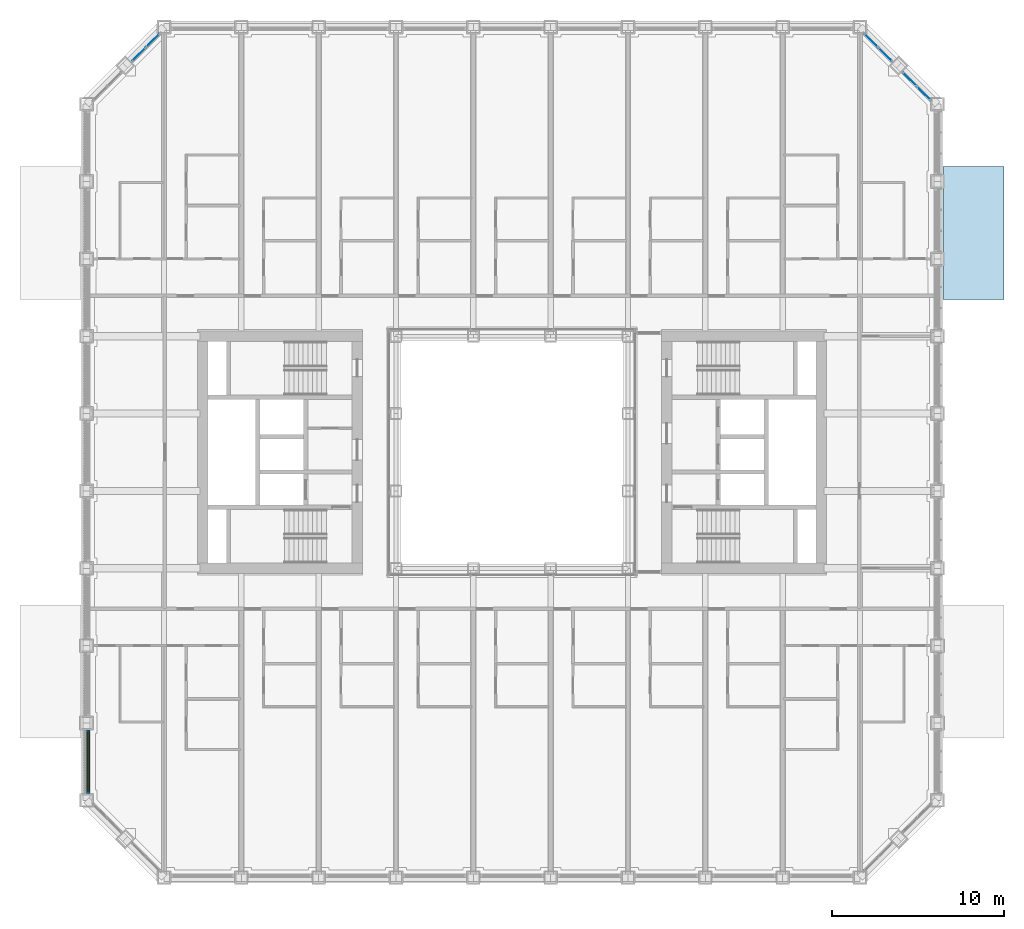
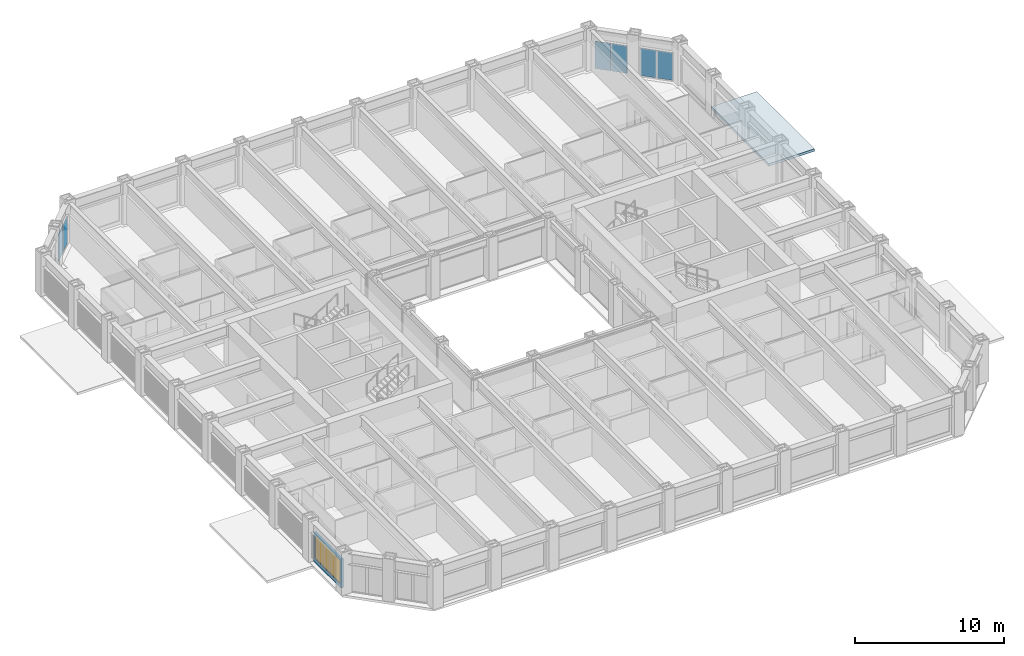
# One storey, part 11 of 24: 6 plates, 1 slab, 1 wall, 1 window, 1 opening, 3 elements without a shape of their own.
"""IFC4 building model written with IfcOpenShell, lengths in metres."""

import ifcopenshell
import ifcopenshell.guid

model = None  # the IFC model being written
_history = None  # IfcOwnerHistory: only IFC2X3 demands one
_inside = {}  # id of a spatial element -> (the spatial element, [elements in it])
_under = {}  # id of a project, library or spatial element -> (it, [spatial elements below it])
_declared = {}  # id of a project -> (the project, [libraries it declares])
_typed = {}  # id of a type object -> (the type object, [elements of that type])
_made_of = {}  # id of a material, layer set ... -> (it, [elements and type objects made of it])


def new_model(schema):
    """Start an empty IFC model of exactly this schema.

    Asked for "IFC4X3", IfcOpenShell would pick the latest addendum, in which some entities
    have other attributes; the version numbers below select the first issue.
    IFC2X3 requires an IfcOwnerHistory on every rooted entity: one is made here for all.
    """
    global model, _history
    if schema == "IFC4X3":
        model = ifcopenshell.file(schema_version=(4, 3, 0, 0))
    else:
        model = ifcopenshell.file(schema=schema)
    _inside.clear()
    _under.clear()
    _declared.clear()
    _typed.clear()
    _made_of.clear()
    _history = None
    if model.schema == "IFC2X3":
        org = make("IfcOrganization", Name="unknown")
        user = make(
            "IfcPersonAndOrganization",
            ThePerson=make("IfcPerson", FamilyName="unknown"),
            TheOrganization=org,
        )
        app = make(
            "IfcApplication",
            ApplicationDeveloper=org,
            Version="unknown",
            ApplicationFullName="unknown",
            ApplicationIdentifier="unknown",
        )
        _history = make(
            "IfcOwnerHistory",
            OwningUser=user,
            OwningApplication=app,
            ChangeAction="ADDED",
            CreationDate=0,
        )
    return model


def make(cls, **values):
    """One entity of the class cls with the attributes given. An attribute that is None is left unset."""
    return model.create_entity(
        cls, **{name: value for name, value in values.items() if value is not None}
    )


def rooted(cls, **values):
    """An entity with a GlobalId (a new one), such as an element, a storey or a relation."""
    return make(cls, GlobalId=ifcopenshell.guid.new(), OwnerHistory=_history, **values)


def si_unit(unit_type, name, prefix=None):
    """IfcSIUnit, for example si_unit("LENGTHUNIT", "METRE", prefix="MILLI")."""
    return make("IfcSIUnit", UnitType=unit_type, Prefix=prefix, Name=name)


def assignment(units):
    """IfcUnitAssignment: the units of a project."""
    return None if units is None else make("IfcUnitAssignment", Units=units)


def point(xyz):
    """IfcCartesianPoint."""
    return None if xyz is None else make("IfcCartesianPoint", Coordinates=xyz)


def direction(xyz):
    """IfcDirection."""
    return None if xyz is None else make("IfcDirection", DirectionRatios=xyz)


def frame(location, z_axis=None, x_axis=None):
    """IfcAxis2Placement3D, a coordinate frame: its origin and axes. An axis left out is left unset."""
    return make(
        "IfcAxis2Placement3D",
        Location=point(location),
        Axis=direction(z_axis),
        RefDirection=direction(x_axis),
    )


def frame_2d(location, x_axis=None):
    """IfcAxis2Placement2D, a coordinate frame in the plane: its origin and x axis."""
    return make(
        "IfcAxis2Placement2D", Location=point(location), RefDirection=direction(x_axis)
    )


def origin():
    """The frame at (0, 0, 0) with its axes left unset."""
    return frame((0.0, 0.0, 0.0))


def origin_2d():
    """The frame at (0, 0) in the plane with its x axis left unset."""
    return frame_2d((0.0, 0.0))


def place(relative_to, where):
    """IfcLocalPlacement: puts the frame where relative to a parent placement (None: the world)."""
    return make(
        "IfcLocalPlacement", PlacementRelTo=relative_to, RelativePlacement=where
    )


def context(
    kind, dimensions, precision=None, world=None, true_north=None, identifier=None
):
    """IfcGeometricRepresentationContext, for example the 3D "Model" context."""
    return make(
        "IfcGeometricRepresentationContext",
        ContextIdentifier=identifier,
        ContextType=kind,
        CoordinateSpaceDimension=dimensions,
        Precision=precision,
        WorldCoordinateSystem=world,
        TrueNorth=true_north,
    )


def subcontext(parent, identifier, kind, view, scale=None):
    """IfcGeometricRepresentationSubContext, for example "Body" below "Model"."""
    return make(
        "IfcGeometricRepresentationSubContext",
        ContextIdentifier=identifier,
        ContextType=kind,
        ParentContext=parent,
        TargetScale=scale,
        TargetView=view,
    )


def project(units=None, contexts=None):
    """IfcProject with its units and contexts."""
    return rooted(
        "IfcProject",
        Name="project",
        RepresentationContexts=contexts,
        UnitsInContext=assignment(units),
    )


def spatial(cls, under=None, at=None, **own):
    """A site, building, storey or space (cls), placed at a placement, below another one or the project."""
    s = rooted(cls, ObjectPlacement=at, **own)
    if under is not None:
        _under.setdefault(under.id(), (under, []))[1].append(s)
    return s


def polyline(points):
    """IfcPolyline through the points."""
    return make("IfcPolyline", Points=[point(p) for p in points])


def profile(cls, at=None, kind="AREA", **sizes):
    """A parametric profile (cls). Its sizes go by their IFC names, for example OverallWidth=200.0."""
    return make(cls, ProfileType=kind, Position=at, **sizes)


def rectangle(**sizes):
    """IfcRectangleProfileDef."""
    return profile("IfcRectangleProfileDef", **sizes)


def outline(outer, holes=None, kind="AREA"):
    """IfcArbitraryClosedProfileDef: a profile drawn as a closed curve; with holes, ...WithVoids."""
    if holes is None:
        return make("IfcArbitraryClosedProfileDef", ProfileType=kind, OuterCurve=outer)
    return make(
        "IfcArbitraryProfileDefWithVoids",
        ProfileType=kind,
        OuterCurve=outer,
        InnerCurves=holes,
    )


def extrude(swept, where, along, depth):
    """IfcExtrudedAreaSolid: the profile swept, set in the frame where, extruded along a direction by depth."""
    return make(
        "IfcExtrudedAreaSolid",
        SweptArea=swept,
        Position=where,
        ExtrudedDirection=direction(along),
        Depth=depth,
    )


def shape(context_of_items, identifier, shape_type, items):
    """IfcShapeRepresentation: the items that make up one representation, for example the "Body"."""
    return make(
        "IfcShapeRepresentation",
        ContextOfItems=context_of_items,
        RepresentationIdentifier=identifier,
        RepresentationType=shape_type,
        Items=items,
    )


def material(Name=None, Category=None):
    """IfcMaterial."""
    return make("IfcMaterial", Name=Name, Category=Category)


def layer(
    of_material, thickness, ventilated=None, Name=None, Category=None, Priority=None
):
    """IfcMaterialLayer: one layer of a wall or slab, of a material (None: an air gap)."""
    return make(
        "IfcMaterialLayer",
        Material=of_material,
        LayerThickness=thickness,
        IsVentilated=ventilated,
        Name=Name,
        Category=Category,
        Priority=Priority,
    )


def layer_set(layers, Name=None):
    """IfcMaterialLayerSet."""
    return make("IfcMaterialLayerSet", MaterialLayers=layers, LayerSetName=Name)


def made_of(thing, what):
    """Note that an element or type object is made of a material, layer set ...; save() writes the relation."""
    if what is not None:
        _made_of.setdefault(what.id(), (what, []))[1].append(thing)
    return thing


def type_object(cls, material=None, **own):
    """A type object (cls), such as IfcWallType, which elements share."""
    return made_of(rooted(cls, **own), material)


def element(
    cls,
    number,
    at=None,
    inside=None,
    cuts=None,
    type_object=None,
    material=None,
    context=None,
    identifier="Body",
    shape_type=None,
    held_by="IfcProductDefinitionShape",
    body=None,
    shapes=None,
    **own,
):
    """One element of the class cls, such as IfcWall. Its Tag is "e" and its number.

    at: its placement. inside: the storey or other place that contains it. cuts: it is an
    opening in that element (IfcRelVoidsElement). A single representation is given by context,
    identifier, shape_type and body (its items); several are given by shapes. held_by: the class
    of the entity that holds the representations. save() writes the other relations.
    """
    e = rooted(cls, Tag="e%d" % number, ObjectPlacement=at, **own)
    if body is not None:
        shapes = [shape(context, identifier, shape_type, body)]
    if shapes is not None:
        e.Representation = make(held_by, Representations=shapes)
    if inside is not None:
        _inside.setdefault(inside.id(), (inside, []))[1].append(e)
    if cuts is not None:
        rooted(
            "IfcRelVoidsElement", RelatingBuildingElement=cuts, RelatedOpeningElement=e
        )
    if type_object is not None:
        _typed.setdefault(type_object.id(), (type_object, []))[1].append(e)
    return made_of(e, material)


def fill(opening, filler):
    """IfcRelFillsElement: the door or window that sits in an opening."""
    return rooted(
        "IfcRelFillsElement",
        RelatingOpeningElement=opening,
        RelatedBuildingElement=filler,
    )


def aggregate(whole, parts):
    """IfcRelAggregates: a whole, such as a stair, and the parts it consists of."""
    return rooted("IfcRelAggregates", RelatingObject=whole, RelatedObjects=parts)


def save(model, path):
    """Write the relations noted so far, then the file.

    IfcRelAggregates (storeys below a building ...), IfcRelContainedInSpatialStructure (elements
    in a storey), IfcRelDefinesByType, IfcRelAssociatesMaterial and IfcRelDeclares: one each for
    every whole, place, type object, material and project.
    """
    for whole, parts in _under.values():
        aggregate(whole, parts)
    for where, things in _inside.values():
        rooted(
            "IfcRelContainedInSpatialStructure",
            RelatedElements=things,
            RelatingStructure=where,
        )
    for kind, things in _typed.values():
        rooted("IfcRelDefinesByType", RelatedObjects=things, RelatingType=kind)
    for what, things in _made_of.values():
        rooted("IfcRelAssociatesMaterial", RelatedObjects=things, RelatingMaterial=what)
    for by, libraries in _declared.values():
        rooted("IfcRelDeclares", RelatingContext=by, RelatedDefinitions=libraries)
    model.write(path)


model = new_model("IFC4")

# Units and contexts
model_context = context("Model", 3, precision=1e-05, world=origin(), true_north=direction((0.0, 1.0)))
body_context = subcontext(model_context, "Body", "Model", "MODEL_VIEW")
ifc_project = project(units=[si_unit("LENGTHUNIT", "METRE"), si_unit("AREAUNIT", "SQUARE_METRE"), si_unit("VOLUMEUNIT", "CUBIC_METRE"), si_unit("PLANEANGLEUNIT", "RADIAN"), si_unit("MASSUNIT", "GRAM", prefix="KILO")], contexts=[model_context])

# Site, building, storey
site_placement = place(None, origin())
site = spatial("IfcSite", under=ifc_project, at=site_placement, CompositionType="ELEMENT")
building_placement = place(site_placement, origin())
building = spatial("IfcBuilding", under=site, at=building_placement, Name="Msasa Ring Tower", CompositionType="ELEMENT")
storey_placement = place(building_placement, frame((0.0, 0.0, 26.5)))
storey = spatial("IfcBuildingStorey", under=building, at=storey_placement, Name="L05", CompositionType="ELEMENT", Elevation=26.5)

# Curtain wall, plates
ifc_material_1 = material(Name="Aluminium curtain wall with clear glass", Category="aluminium")
curtain_wall_type = type_object("IfcCurtainWallType", Name="CW-C CHAMFER CORNER CURTAIN WALL", PredefinedType="NOTDEFINED", material=ifc_material_1)
curtain_wall_1_placement = place(storey_placement, origin())
curtain_wall_1 = element("IfcCurtainWall", 1, at=curtain_wall_1_placement, inside=storey, type_object=curtain_wall_type, Name="Chamfer corner curtain wall NE L05", PredefinedType="NOTDEFINED")
ifc_material_2 = material(Name="Clear laminated insulating glass unit", Category="glass")
ifc_layer_1 = layer(ifc_material_2, 0.031982421875)
ifc_layer_set_1 = layer_set([ifc_layer_1], Name="CW-C GLASS PANEL 32")
plate_type = type_object("IfcPlateType", Name="CW-C GLASS PANEL 32", PredefinedType="CURTAIN_PANEL", material=ifc_layer_set_1)
plate_1_placement = place(storey_placement, frame((21.712158203125, 23.146484375, 0.06494140625), z_axis=(0.0, 0.0, 1.0), x_axis=(-0.707106781187, 0.707106781187, 0.0)))
plate_1 = element("IfcPlate", 2, at=plate_1_placement, type_object=plate_type, Name="CW-C panel 1.1", PredefinedType="CURTAIN_PANEL", context=body_context, shape_type="SweptSolid", body=[
    extrude(rectangle(XDim=1.08837890625, YDim=0.031982421875, at=origin_2d()), origin(), (0.0, 0.0, 1.0), 2.2490234375),
])
plate_2_placement = place(storey_placement, frame((20.896484375, 23.962158203125, 0.06494140625), z_axis=(0.0, 0.0, 1.0), x_axis=(-0.707106781187, 0.707106781187, 0.0)))
plate_2 = element("IfcPlate", 3, at=plate_2_placement, type_object=plate_type, Name="CW-C panel 2.1", PredefinedType="CURTAIN_PANEL", context=body_context, shape_type="SweptSolid", body=[
    extrude(rectangle(XDim=1.08837890625, YDim=0.031982421875, at=origin_2d()), origin(), (0.0, 0.0, 1.0), 2.2490234375),
])
aggregate(curtain_wall_1, [plate_1, plate_2])

curtain_wall_2_placement = place(storey_placement, origin())
curtain_wall_2 = element("IfcCurtainWall", 4, at=curtain_wall_2_placement, inside=storey, type_object=curtain_wall_type, Name="Chamfer corner curtain wall NE L05", PredefinedType="NOTDEFINED")
plate_3_placement = place(storey_placement, frame((23.962158203125, 20.896484375, 0.06494140625), z_axis=(0.0, 0.0, 1.0), x_axis=(-0.707106781187, 0.707106781187, 0.0)))
plate_3 = element("IfcPlate", 5, at=plate_3_placement, type_object=plate_type, Name="CW-C panel 1.1", PredefinedType="CURTAIN_PANEL", context=body_context, shape_type="SweptSolid", body=[
    extrude(rectangle(XDim=1.08837890625, YDim=0.031982421875, at=origin_2d()), origin(), (0.0, 0.0, 1.0), 2.2490234375),
])
plate_4_placement = place(storey_placement, frame((23.146484375, 21.712158203125, 0.06494140625), z_axis=(0.0, 0.0, 1.0), x_axis=(-0.707106781187, 0.707106781187, 0.0)))
plate_4 = element("IfcPlate", 6, at=plate_4_placement, type_object=plate_type, Name="CW-C panel 2.1", PredefinedType="CURTAIN_PANEL", context=body_context, shape_type="SweptSolid", body=[
    extrude(rectangle(XDim=1.08837890625, YDim=0.031982421875, at=origin_2d()), origin(), (0.0, 0.0, 1.0), 2.2490234375),
])
aggregate(curtain_wall_2, [plate_3, plate_4])

curtain_wall_3_placement = place(storey_placement, origin())
curtain_wall_3 = element("IfcCurtainWall", 7, at=curtain_wall_3_placement, inside=storey, type_object=curtain_wall_type, Name="Chamfer corner curtain wall NW L05", PredefinedType="NOTDEFINED")
plate_5_placement = place(storey_placement, frame((-20.896484375, 23.962158203125, 0.06494140625), z_axis=(0.0, 0.0, 1.0), x_axis=(-0.707106781187, -0.707106781187, 0.0)))
plate_5 = element("IfcPlate", 8, at=plate_5_placement, type_object=plate_type, Name="CW-C panel 1.1", PredefinedType="CURTAIN_PANEL", context=body_context, shape_type="SweptSolid", body=[
    extrude(rectangle(XDim=1.08837890625, YDim=0.031982421875, at=origin_2d()), origin(), (0.0, 0.0, 1.0), 2.2490234375),
])
plate_6_placement = place(storey_placement, frame((-21.712158203125, 23.146484375, 0.06494140625), z_axis=(0.0, 0.0, 1.0), x_axis=(-0.707106781187, -0.707106781187, 0.0)))
plate_6 = element("IfcPlate", 9, at=plate_6_placement, type_object=plate_type, Name="CW-C panel 2.1", PredefinedType="CURTAIN_PANEL", context=body_context, shape_type="SweptSolid", body=[
    extrude(rectangle(XDim=1.08837890625, YDim=0.031982421875, at=origin_2d()), origin(), (0.0, 0.0, 1.0), 2.2490234375),
])
aggregate(curtain_wall_3, [plate_5, plate_6])

# Slab
ifc_material_3 = material(Name="Concrete C40/50", Category="concrete")
ifc_layer_2 = layer(ifc_material_3, 0.199951171875)
ifc_layer_set_2 = layer_set([ifc_layer_2], Name="R2 STAIR HEAD-HOUSE ROOF 200")
slab_type = type_object("IfcSlabType", Name="R2 STAIR HEAD-HOUSE ROOF 200", PredefinedType="ROOF", material=ifc_layer_set_2)
slab_placement = place(storey_placement, frame((0.0, 0.0, -0.199951171875)))
element("IfcSlab", 10, at=slab_placement, inside=storey, type_object=slab_type, Name="Stair head-house roof PEN", PredefinedType="ROOF", context=body_context, shape_type="SweptSolid", body=[
    extrude(outline(polyline([(25.074951171875, 8.875), (28.625, 8.875), (28.625, 16.625), (25.074951171875, 16.625), (25.074951171875, 8.875)])), origin(), (0.0, 0.0, 1.0), 0.199951171875),
])

# Wall, opening, window
ifc_material_4 = material(Name="Terracotta rainscreen on blockwork", Category="masonry")
ifc_layer_3 = layer(ifc_material_4, 0.199951171875)
ifc_layer_set_3 = layer_set([ifc_layer_3], Name="FW1 TERRACOTTA-LINED INFILL BAY WALL 200")
wall_type = type_object("IfcWallType", Name="FW1 TERRACOTTA-LINED INFILL BAY WALL 200", PredefinedType="SOLIDWALL", material=ifc_layer_set_3)
wall_placement = place(storey_placement, frame((-24.64990234375, -19.844970703125, 0.0), z_axis=(0.0, 0.0, 1.0), x_axis=(0.0, 1.0, 0.0)))
wall = element("IfcWall", 11, at=wall_placement, inside=storey, type_object=wall_type, Name="Infill bay wall W L05 33", PredefinedType="SOLIDWALL", context=body_context, shape_type="SweptSolid", body=[
    extrude(rectangle(XDim=3.68994140625, YDim=0.199951171875, at=frame_2d((1.844970703125, 0.0))), origin(), (0.0, 0.0, 1.0), 2.37890625),
])
opening_placement = place(wall_placement, frame((0.14501953125, 0.0, 0.300048828125)))
opening = element("IfcOpeningElement", 12, at=opening_placement, cuts=wall, Name="Opening WN1", PredefinedType="OPENING", context=body_context, shape_type="SweptSolid", body=[
    extrude(rectangle(XDim=3.39990234375, YDim=1.928955078125, at=frame_2d((1.699951171875, 0.96435546875))), frame((0.0, 0.10986328125, 0.0), z_axis=(0.0, -1.0, 0.0), x_axis=(1.0, 0.0, 0.0)), (0.0, 0.0, 1.0), 0.219970703125),
])
ifc_material_5 = material(Name="Aluminium frame with clear glass", Category="aluminium")
window_type = type_object("IfcWindowType", Name="WN1 RESIDENCE WINDOW 3400x1929", PartitioningType="SINGLE_PANEL", PredefinedType="WINDOW", material=ifc_material_5)
window_placement = place(opening_placement, origin())
window = element("IfcWindow", 13, at=window_placement, inside=storey, type_object=window_type, Name="Window W L05 33", OverallHeight=1.928955078125, OverallWidth=3.39990234375, PartitioningType="SINGLE_PANEL", PredefinedType="WINDOW", context=body_context, shape_type="SweptSolid", body=[
    extrude(rectangle(XDim=3.39990234375, YDim=1.928955078125, at=frame_2d((1.699951171875, 0.96435546875))), frame((0.0, 0.030029296875, 0.0), z_axis=(0.0, -1.0, 0.0), x_axis=(1.0, 0.0, 0.0)), (0.0, 0.0, 1.0), 0.06005859375),
])
fill(opening, window)

save(model, "model.ifc")
